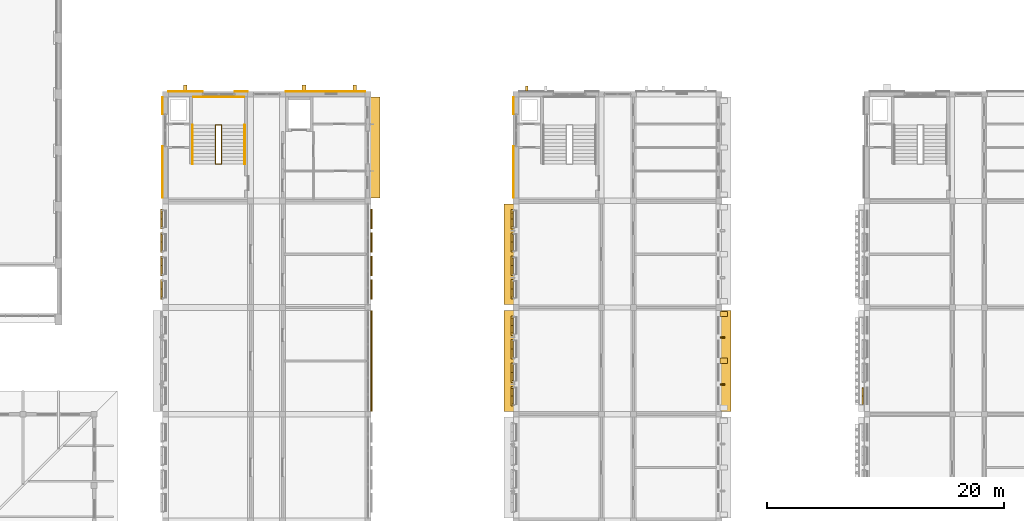
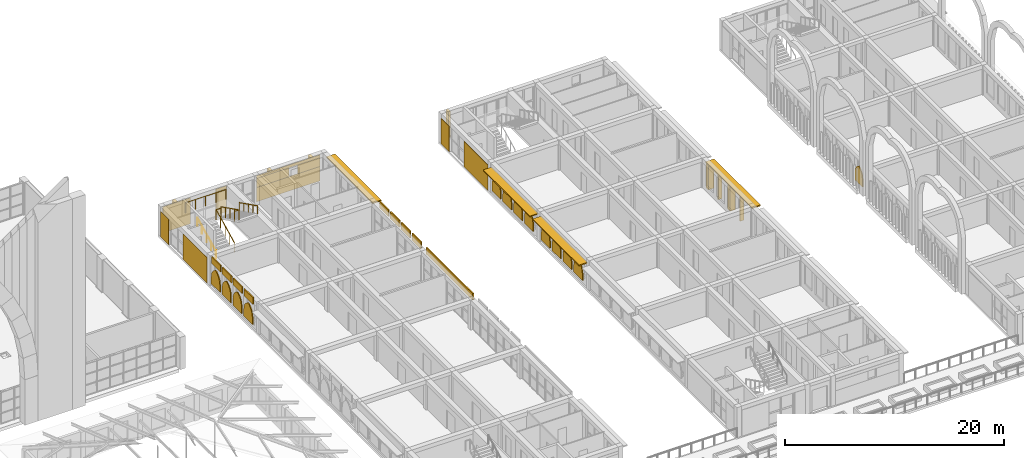
# One storey, part 76 of 82: 27 coverings, 17 shading devices, 4 railings.
"""IFC4 building model written with IfcOpenShell, lengths in metres."""

from ifc_helpers import new_model, si_unit, direction, frame, origin, origin_2d, place, context, subcontext, project, spatial, polyline, rectangle, circle, outline, extrude, material, layer, layer_set, type_object, element, save


model = new_model("IFC4")

# Units and contexts
model_context = context("Model", 3, precision=1e-05, world=origin(), true_north=direction((0.0, 1.0)))
body_context = subcontext(model_context, "Body", "Model", "MODEL_VIEW")
ifc_project = project(units=[si_unit("LENGTHUNIT", "METRE"), si_unit("AREAUNIT", "SQUARE_METRE"), si_unit("VOLUMEUNIT", "CUBIC_METRE"), si_unit("PLANEANGLEUNIT", "RADIAN"), si_unit("MASSUNIT", "GRAM", prefix="KILO")], contexts=[model_context])

# Site, building, storey
site_placement = place(None, origin())
site = spatial("IfcSite", under=ifc_project, at=site_placement, CompositionType="ELEMENT")
building_placement = place(site_placement, origin())
building = spatial("IfcBuilding", under=site, at=building_placement, Name="Elbe Cascade School", CompositionType="ELEMENT")
storey_placement = place(building_placement, frame((0.0, 0.0, 4.5)))
storey = spatial("IfcBuildingStorey", under=building, at=storey_placement, Name="L01", CompositionType="ELEMENT", Elevation=4.5)

# Railings
ifc_material_1 = material(Name="Steel S355J2H, painted", Category="steel")
railing_type_1 = type_object("IfcRailingType", Name="Bar stair guard 1100", PredefinedType="GUARDRAIL", material=ifc_material_1)
railing_1_placement = place(storey_placement, frame((73.25, 54.10009765625, 0.14990234375)))
element("IfcRailing", 1, at=railing_1_placement, inside=storey, type_object=railing_type_1, Name="Stair guard A1.N", PredefinedType="GUARDRAIL", context=body_context, shape_type="SweptSolid", body=[
    extrude(circle(Radius=0.02392578125, at=origin_2d()), frame((0.0, 0.0, 1.09619140625), z_axis=(0.0, 0.894400720042, 0.447266533499), x_axis=(-1.0, 0.0, 0.0)), (0.0, 0.0, 1.0), 3.689453125),
    extrude(circle(Radius=0.02392578125, at=origin_2d()), frame((0.0, 3.2998046875, 2.74609375), z_axis=(1.0, 0.0, 0.0), x_axis=(0.0, 1.0, 0.0)), (0.0, 0.0, 1.0), 0.5),
    extrude(circle(Radius=0.02392578125, at=origin_2d()), frame((0.5, 3.2998046875, 2.74609375), z_axis=(0.0, 0.0, 1.0), x_axis=(1.0, 0.0, 0.0)), (0.0, 0.0, 1.0), 0.14990234375),
    extrude(circle(Radius=0.02392578125, at=origin_2d()), frame((0.5, 3.2998046875, 2.89599609375), z_axis=(0.0, -0.894400720042, 0.447266533499), x_axis=(1.0, 0.0, 0.0)), (0.0, 0.0, 1.0), 3.689453125),
    extrude(circle(Radius=0.02392578125, at=origin_2d()), frame((0.5, 0.0, 4.54638671875), z_axis=(-1.0, 0.0, 0.0), x_axis=(0.0, -1.0, 0.0)), (0.0, 0.0, 1.0), 0.5),
    extrude(circle(Radius=0.02099609375, at=origin_2d()), origin(), (0.0, 0.0, 1.0), 1.072021484375),
    extrude(circle(Radius=0.02099609375, at=origin_2d()), frame((0.0, 0.824951171875, 0.41259765625)), (0.0, 0.0, 1.0), 1.072021484375),
    extrude(circle(Radius=0.02099609375, at=origin_2d()), frame((0.0, 1.64990234375, 0.8251953125)), (0.0, 0.0, 1.0), 1.072021484375),
    extrude(circle(Radius=0.02099609375, at=origin_2d()), frame((0.0, 2.474853515625, 1.237548828125)), (0.0, 0.0, 1.0), 1.072021484375),
    extrude(circle(Radius=0.02099609375, at=origin_2d()), frame((0.0, 3.2998046875, 1.650146484375)), (0.0, 0.0, 1.0), 1.072021484375),
    extrude(circle(Radius=0.02099609375, at=origin_2d()), frame((0.5, 3.2998046875, 1.650146484375)), (0.0, 0.0, 1.0), 1.072021484375),
    extrude(circle(Radius=0.02099609375, at=origin_2d()), frame((0.5, 3.2998046875, 1.800048828125)), (0.0, 0.0, 1.0), 1.072021484375),
    extrude(circle(Radius=0.02099609375, at=origin_2d()), frame((0.5, 2.474853515625, 2.212646484375)), (0.0, 0.0, 1.0), 1.072021484375),
    extrude(circle(Radius=0.02099609375, at=origin_2d()), frame((0.5, 1.64990234375, 2.625)), (0.0, 0.0, 1.0), 1.072021484375),
    extrude(circle(Radius=0.02099609375, at=origin_2d()), frame((0.5, 0.824951171875, 3.03759765625)), (0.0, 0.0, 1.0), 1.072021484375),
    extrude(circle(Radius=0.02099609375, at=origin_2d()), frame((0.5, 0.0, 3.4501953125)), (0.0, 0.0, 1.0), 1.072021484375),
    extrude(circle(Radius=0.02099609375, at=origin_2d()), frame((0.0, 0.0, 3.4501953125)), (0.0, 0.0, 1.0), 1.072021484375),
])
railing_2_placement = place(storey_placement, frame((71.360107421875, 59.760009765625, 1.800048828125)))
element("IfcRailing", 2, at=railing_2_placement, inside=storey, type_object=railing_type_1, Name="Stair guard A1.N", PredefinedType="GUARDRAIL", context=body_context, shape_type="SweptSolid", body=[
    extrude(circle(Radius=0.02392578125, at=origin_2d()), frame((0.0, 0.0, 1.09619140625), z_axis=(1.0, 0.0, 0.0), x_axis=(0.0, 1.0, 0.0)), (0.0, 0.0, 1.0), 4.27978515625),
    extrude(circle(Radius=0.02099609375, at=origin_2d()), origin(), (0.0, 0.0, 1.0), 1.072021484375),
    extrude(circle(Radius=0.02099609375, at=origin_2d()), frame((1.06982421875, 0.0, 0.0)), (0.0, 0.0, 1.0), 1.072021484375),
    extrude(circle(Radius=0.02099609375, at=origin_2d()), frame((2.139892578125, 0.0, 0.0)), (0.0, 0.0, 1.0), 1.072021484375),
    extrude(circle(Radius=0.02099609375, at=origin_2d()), frame((3.2099609375, 0.0, 0.0)), (0.0, 0.0, 1.0), 1.072021484375),
    extrude(circle(Radius=0.02099609375, at=origin_2d()), frame((4.27978515625, 0.0, 0.0)), (0.0, 0.0, 1.0), 1.072021484375),
])
ifc_material_2 = material(Name="Steel S355J2H, painted", Category="steel")
railing_type_2 = type_object("IfcRailingType", Name="Bar stair handrail 900", PredefinedType="HANDRAIL", material=ifc_material_2)
railing_3_placement = place(storey_placement, frame((71.300048828125, 54.10009765625, 0.14990234375)))
element("IfcRailing", 3, at=railing_3_placement, inside=storey, type_object=railing_type_2, Name="Stair handrail A1.N", PredefinedType="HANDRAIL", context=body_context, shape_type="SweptSolid", body=[
    extrude(circle(Radius=0.02392578125, at=origin_2d()), frame((0.0, 0.0, 0.8759765625), z_axis=(0.0, 0.894400720042, 0.447266533499), x_axis=(-1.0, 0.0, 0.0)), (0.0, 0.0, 1.0), 3.689453125),
    extrude(circle(Radius=0.02099609375, at=origin_2d()), origin(), (0.0, 0.0, 1.0), 0.851806640625),
    extrude(circle(Radius=0.02099609375, at=origin_2d()), frame((0.0, 0.824951171875, 0.41259765625)), (0.0, 0.0, 1.0), 0.851806640625),
    extrude(circle(Radius=0.02099609375, at=origin_2d()), frame((0.0, 1.64990234375, 0.8251953125)), (0.0, 0.0, 1.0), 0.851806640625),
    extrude(circle(Radius=0.02099609375, at=origin_2d()), frame((0.0, 2.474853515625, 1.237548828125)), (0.0, 0.0, 1.0), 0.851806640625),
    extrude(circle(Radius=0.02099609375, at=origin_2d()), frame((0.0, 3.2998046875, 1.650146484375)), (0.0, 0.0, 1.0), 0.851806640625),
])
railing_4_placement = place(storey_placement, frame((75.699951171875, 57.39990234375, 1.949951171875)))
element("IfcRailing", 4, at=railing_4_placement, inside=storey, type_object=railing_type_2, Name="Stair handrail A1.N", PredefinedType="HANDRAIL", context=body_context, shape_type="SweptSolid", body=[
    extrude(circle(Radius=0.02392578125, at=origin_2d()), frame((0.0, 0.0, 0.8759765625), z_axis=(0.0, -0.894400720042, 0.447266533499), x_axis=(1.0, 0.0, 0.0)), (0.0, 0.0, 1.0), 3.689453125),
    extrude(circle(Radius=0.02099609375, at=origin_2d()), origin(), (0.0, 0.0, 1.0), 0.851806640625),
    extrude(circle(Radius=0.02099609375, at=origin_2d()), frame((0.0, -0.824951171875, 0.41259765625)), (0.0, 0.0, 1.0), 0.851806640625),
    extrude(circle(Radius=0.02099609375, at=origin_2d()), frame((0.0, -1.64990234375, 0.8251953125)), (0.0, 0.0, 1.0), 0.851806640625),
    extrude(circle(Radius=0.02099609375, at=origin_2d()), frame((0.0, -2.474853515625, 1.237548828125)), (0.0, 0.0, 1.0), 0.851806640625),
    extrude(circle(Radius=0.02099609375, at=origin_2d()), frame((0.0, -3.2998046875, 1.650146484375)), (0.0, 0.0, 1.0), 0.851806640625),
])

# Shading devices
ifc_material_3 = material(Name="Precast concrete C30/37", Category="concrete")
ifc_layer_1 = layer(ifc_material_3, 0.1201171875)
ifc_layer_set_1 = layer_set([ifc_layer_1], Name="Precast concrete C30/37")
shading_device_type_1 = type_object("IfcShadingDeviceType", Name="Bars envelope Chhajja eave, precast concrete, 900 x 120", PredefinedType="USERDEFINED", material=ifc_layer_set_1)
for number, where, z_axis, x_axis, name in (
    (5, (86.669921875, 55.5, 2.72998046875), (0.0, 0.0, 1.0), (0.0, 1.0, 0.0), "Chhajja eave SD2 A.L01.e6"),
    (6, (98.030029296875, 37.5, 2.72998046875), (0.0, 0.0, 1.0), (0.0, 1.0, 0.0), "Chhajja eave SD2 B.L01.w4"),
    (7, (98.030029296875, 46.5, 2.72998046875), (0.0, 0.0, 1.0), (0.0, 1.0, 0.0), "Chhajja eave SD2 B.L01.w5"),
    (8, (116.27001953125, 37.5, 2.72998046875), (0.0, 0.0, 1.0), (0.0, 1.0, 0.0), "Chhajja eave SD2 B.L01.e4"),
):
    element("IfcShadingDevice", number, at=place(storey_placement, frame(where, z_axis=z_axis, x_axis=x_axis)), inside=storey, type_object=shading_device_type_1, Name=name, ObjectType="CHHAJJA", PredefinedType="USERDEFINED", context=body_context, shape_type="SweptSolid", body=[
        extrude(rectangle(XDim=8.5, YDim=0.89990234375, at=origin_2d()), origin(), (0.0, 0.0, 1.0), 0.1201171875),
    ])
ifc_material_4 = material(Name="Precast concrete C40/50", Category="concrete")
ifc_layer_2 = layer(ifc_material_4, 0.10009765625)
ifc_layer_set_2 = layer_set([ifc_layer_2], Name="Precast concrete C40/50")
shading_device_type_2 = type_object("IfcShadingDeviceType", Name="Bars envelope Jali screen 1400 x 1940, pointed arch rise 1200, pierced precast concrete", PredefinedType="USERDEFINED", material=ifc_layer_set_2)
shading_device_1_placement = place(storey_placement, frame((127.800048828125, 33.830078125, 1.340087890625), z_axis=(-1.0, 0.0, 0.0), x_axis=(0.0, 0.178010233327, 0.984028636184)))
element("IfcShadingDevice", 9, at=shading_device_1_placement, inside=storey, type_object=shading_device_type_2, Name="Jali screen SD5 C.L01.w4.1", ObjectType="JALI", PredefinedType="USERDEFINED", context=body_context, shape_type="SweptSolid", body=[
    extrude(outline(polyline([(0.0, 0.0), (0.4909961754247877, 0.0), (0.6925015045111531, 0.05236873319310516), (0.8428788821146216, 0.11423458756170396), (0.9653448017027789, 0.1809015060000636), (1.0691153542525929, 0.2511985091151042), (1.1586682066636846, 0.32381938311151803), (1.2366894734944909, 0.3985263145297321), (1.3053847865709356, 0.4751684089694145), (1.267849956232629, 0.5707793741352497), (1.2209891721399608, 0.6683255023225533), (1.1625533429373862, 0.767717446565401), (1.0899432731257104, 0.8696735030558779), (0.9986378362756912, 0.9752596442230361), (0.8794209414103609, 1.0856468494599547), (0.7090760950621335, 1.205531175872367), (0.2491969428458631, 1.3775439941116288), (-0.47897463827592734, 1.509269828392377), (-0.7281715811217905, 0.13172583428074836), (0.0, 0.0)])), origin(), (0.0, 0.0, -1.0), 0.10009765625),
])
ifc_material_5 = material(Name="Precast concrete C40/50", Category="concrete")
ifc_layer_3 = layer(ifc_material_5, 0.10009765625)
ifc_layer_set_3 = layer_set([ifc_layer_3], Name="Precast concrete C40/50")
shading_device_type_3 = type_object("IfcShadingDeviceType", Name="Bars envelope Jali screen 1600 x 1940, pointed arch rise 1200, pierced precast concrete", PredefinedType="USERDEFINED", material=ifc_layer_set_3)
shading_device_2_placement = place(storey_placement, frame((68.60009765625, 42.72998046875, 1.340087890625), z_axis=(-1.0, 0.0, 0.0), x_axis=(0.0, 0.196300278283, 0.98054382908)))
element("IfcShadingDevice", 10, at=shading_device_2_placement, inside=storey, type_object=shading_device_type_3, Name="Jali screen SD4 A.L01.w5.1", ObjectType="JALI", PredefinedType="USERDEFINED", context=body_context, shape_type="SweptSolid", body=[
    extrude(outline(polyline([(0.0, 0.0), (0.509921112317134, 0.0), (0.7184015554229473, 0.06009802405484588), (0.8733064327485943, 0.13117061016154), (0.9982395622926888, 0.20799441476340969), (1.102872417131342, 0.2891312241218946), (1.1917054934740825, 0.37343107507379947), (1.268281725197354, 0.45993570394643946), (1.3336545243794973, 0.5489321924158467), (1.3075321958793382, 0.6559965916457164), (1.2702064348380508, 0.7655528504723534), (1.220671754049922, 0.877553277802997), (1.155289369893253, 0.9924773561437888), (1.0696067110311427, 1.1117144392411962), (0.9539523043874798, 1.2367027408337792), (0.7847223319636507, 1.37266560447821), (0.31409961520112845, 1.5689658827607584), (-0.41149324269448634, 1.7142261716949392), (-0.7255928578956148, 0.1452602889341807), (0.0, 0.0)])), origin(), (0.0, 0.0, -1.0), 0.10009765625),
])
for number, where, z_axis, x_axis, name in (
    (11, (68.60009765625, 44.7099609375, 1.340087890625), (-1.0, 0.0, 0.0), (0.0, 0.196300278283, 0.98054382908), "Jali screen SD4 A.L01.w5.2"),
    (12, (68.60009765625, 46.68994140625, 1.340087890625), (-1.0, 0.0, 0.0), (0.0, 0.196300278283, 0.98054382908), "Jali screen SD4 A.L01.w5.3"),
):
    element("IfcShadingDevice", number, at=place(storey_placement, frame(where, z_axis=z_axis, x_axis=x_axis)), inside=storey, type_object=shading_device_type_3, Name=name, ObjectType="JALI", PredefinedType="USERDEFINED", context=body_context, shape_type="SweptSolid", body=[
        extrude(outline(polyline([(0.0, 0.0), (0.509921112317134, 0.0), (0.7184015554229473, 0.06009802405484588), (0.8733064327485943, 0.13117061016154), (0.9982874871653163, 0.20823380534668107), (1.102872417131342, 0.2891312241218946), (1.1917054934740825, 0.37343107507379947), (1.268281725197354, 0.45993570394643946), (1.3336545243794973, 0.5489321924158467), (1.3075801207519657, 0.6562359822289878), (1.2702064348380508, 0.7655528504723534), (1.220671754049922, 0.877553277802997), (1.155289369893253, 0.9924773561437888), (1.0696067110311427, 1.1117144392411962), (0.9540002292601073, 1.2369421314170506), (0.7847223319636507, 1.37266560447821), (0.31409961520112845, 1.5689658827607584), (-0.41149324269448634, 1.7142261716949392), (-0.7255928578956148, 0.1452602889341807), (0.0, 0.0)])), origin(), (0.0, 0.0, -1.0), 0.10009765625),
    ])
shading_device_3_placement = place(storey_placement, frame((68.60009765625, 48.669921875, 1.340087890625), z_axis=(-1.0, 0.0, 0.0), x_axis=(0.0, 0.196300278283, 0.98054382908)))
element("IfcShadingDevice", 13, at=shading_device_3_placement, inside=storey, type_object=shading_device_type_3, Name="Jali screen SD4 A.L01.w5.4", ObjectType="JALI", PredefinedType="USERDEFINED", context=body_context, shape_type="SweptSolid", body=[
    extrude(outline(polyline([(0.0, 0.0), (0.509921112317134, 0.0), (0.7184494802955748, 0.06033741463811729), (0.8733064327485943, 0.13117061016154), (0.9982874871653163, 0.20823380534668107), (1.102872417131342, 0.2891312241218946), (1.1917054934740825, 0.37343107507379947), (1.2683296500699814, 0.46017509452971084), (1.3336545243794973, 0.5489321924158467), (1.3075801207519657, 0.6562359822289878), (1.2702064348380508, 0.7655528504723534), (1.220671754049922, 0.877553277802997), (1.1553372947658807, 0.9927167467270602), (1.0696067110311427, 1.1117144392411962), (0.9540002292601073, 1.2369421314170506), (0.7847223319636507, 1.37266560447821), (0.31409961520112845, 1.5689658827607584), (-0.41149324269448634, 1.7142261716949392), (-0.7255928578956148, 0.1452602889341807), (0.0, 0.0)])), origin(), (0.0, 0.0, -1.0), 0.10009765625),
])
shading_device_4_placement = place(storey_placement, frame((98.199951171875, 33.72998046875, 1.340087890625), z_axis=(-1.0, 0.0, 0.0), x_axis=(0.0, 0.196300278283, 0.98054382908)))
element("IfcShadingDevice", 14, at=shading_device_4_placement, inside=storey, type_object=shading_device_type_3, Name="Jali screen SD4 B.L01.w4.1", ObjectType="JALI", PredefinedType="USERDEFINED", context=body_context, shape_type="SweptSolid", body=[
    extrude(outline(polyline([(0.0, 0.0), (0.509921112317134, 0.0), (0.7184015554229473, 0.06009802405484588), (0.8733064327485943, 0.13117061016154), (0.9982395622926888, 0.20799441476340969), (1.102872417131342, 0.2891312241218946), (1.1917054934740825, 0.37343107507379947), (1.268281725197354, 0.45993570394643946), (1.3336545243794973, 0.5489321924158467), (1.3075321958793382, 0.6559965916457164), (1.2702064348380508, 0.7655528504723534), (1.220671754049922, 0.877553277802997), (1.155289369893253, 0.9924773561437888), (1.0696067110311427, 1.1117144392411962), (0.9539523043874798, 1.2367027408337792), (0.7847223319636507, 1.37266560447821), (0.31409961520112845, 1.5689658827607584), (-0.41149324269448634, 1.7142261716949392), (-0.7255928578956148, 0.1452602889341807), (0.0, 0.0)])), origin(), (0.0, 0.0, -1.0), 0.10009765625),
])
for number, where, z_axis, x_axis, name in (
    (15, (98.199951171875, 35.7099609375, 1.340087890625), (-1.0, 0.0, 0.0), (0.0, 0.196300278283, 0.98054382908), "Jali screen SD4 B.L01.w4.2"),
    (16, (98.199951171875, 37.68994140625, 1.340087890625), (-1.0, 0.0, 0.0), (0.0, 0.196300278283, 0.98054382908), "Jali screen SD4 B.L01.w4.3"),
):
    element("IfcShadingDevice", number, at=place(storey_placement, frame(where, z_axis=z_axis, x_axis=x_axis)), inside=storey, type_object=shading_device_type_3, Name=name, ObjectType="JALI", PredefinedType="USERDEFINED", context=body_context, shape_type="SweptSolid", body=[
        extrude(outline(polyline([(0.0, 0.0), (0.509921112317134, 0.0), (0.7184015554229473, 0.06009802405484588), (0.8733064327485943, 0.13117061016154), (0.9982874871653163, 0.20823380534668107), (1.102872417131342, 0.2891312241218946), (1.1917054934740825, 0.37343107507379947), (1.268281725197354, 0.45993570394643946), (1.3336545243794973, 0.5489321924158467), (1.3075801207519657, 0.6562359822289878), (1.2702064348380508, 0.7655528504723534), (1.220671754049922, 0.877553277802997), (1.155289369893253, 0.9924773561437888), (1.0696067110311427, 1.1117144392411962), (0.9540002292601073, 1.2369421314170506), (0.7847223319636507, 1.37266560447821), (0.31409961520112845, 1.5689658827607584), (-0.41149324269448634, 1.7142261716949392), (-0.7255928578956148, 0.1452602889341807), (0.0, 0.0)])), origin(), (0.0, 0.0, -1.0), 0.10009765625),
    ])
shading_device_5_placement = place(storey_placement, frame((98.199951171875, 39.669921875, 1.340087890625), z_axis=(-1.0, 0.0, 0.0), x_axis=(0.0, 0.196300278283, 0.98054382908)))
element("IfcShadingDevice", 17, at=shading_device_5_placement, inside=storey, type_object=shading_device_type_3, Name="Jali screen SD4 B.L01.w4.4", ObjectType="JALI", PredefinedType="USERDEFINED", context=body_context, shape_type="SweptSolid", body=[
    extrude(outline(polyline([(0.0, 0.0), (0.509921112317134, 0.0), (0.7184494802955748, 0.06033741463811729), (0.8733064327485943, 0.13117061016154), (0.9982874871653163, 0.20823380534668107), (1.102872417131342, 0.2891312241218946), (1.1917054934740825, 0.37343107507379947), (1.2683296500699814, 0.46017509452971084), (1.3336545243794973, 0.5489321924158467), (1.3075801207519657, 0.6562359822289878), (1.2702064348380508, 0.7655528504723534), (1.220671754049922, 0.877553277802997), (1.1553372947658807, 0.9927167467270602), (1.0696067110311427, 1.1117144392411962), (0.9540002292601073, 1.2369421314170506), (0.7847223319636507, 1.37266560447821), (0.31409961520112845, 1.5689658827607584), (-0.41149324269448634, 1.7142261716949392), (-0.7255928578956148, 0.1452602889341807), (0.0, 0.0)])), origin(), (0.0, 0.0, -1.0), 0.10009765625),
])
shading_device_6_placement = place(storey_placement, frame((98.199951171875, 42.72998046875, 1.340087890625), z_axis=(-1.0, 0.0, 0.0), x_axis=(0.0, 0.196300278283, 0.98054382908)))
element("IfcShadingDevice", 18, at=shading_device_6_placement, inside=storey, type_object=shading_device_type_3, Name="Jali screen SD4 B.L01.w5.1", ObjectType="JALI", PredefinedType="USERDEFINED", context=body_context, shape_type="SweptSolid", body=[
    extrude(outline(polyline([(0.0, 0.0), (0.509921112317134, 0.0), (0.7184015554229473, 0.06009802405484588), (0.8733064327485943, 0.13117061016154), (0.9982395622926888, 0.20799441476340969), (1.102872417131342, 0.2891312241218946), (1.1917054934740825, 0.37343107507379947), (1.268281725197354, 0.45993570394643946), (1.3336545243794973, 0.5489321924158467), (1.3075321958793382, 0.6559965916457164), (1.2702064348380508, 0.7655528504723534), (1.220671754049922, 0.877553277802997), (1.155289369893253, 0.9924773561437888), (1.0696067110311427, 1.1117144392411962), (0.9539523043874798, 1.2367027408337792), (0.7847223319636507, 1.37266560447821), (0.31409961520112845, 1.5689658827607584), (-0.41149324269448634, 1.7142261716949392), (-0.7255928578956148, 0.1452602889341807), (0.0, 0.0)])), origin(), (0.0, 0.0, -1.0), 0.10009765625),
])
for number, where, z_axis, x_axis, name in (
    (19, (98.199951171875, 44.7099609375, 1.340087890625), (-1.0, 0.0, 0.0), (0.0, 0.196300278283, 0.98054382908), "Jali screen SD4 B.L01.w5.2"),
    (20, (98.199951171875, 46.68994140625, 1.340087890625), (-1.0, 0.0, 0.0), (0.0, 0.196300278283, 0.98054382908), "Jali screen SD4 B.L01.w5.3"),
):
    element("IfcShadingDevice", number, at=place(storey_placement, frame(where, z_axis=z_axis, x_axis=x_axis)), inside=storey, type_object=shading_device_type_3, Name=name, ObjectType="JALI", PredefinedType="USERDEFINED", context=body_context, shape_type="SweptSolid", body=[
        extrude(outline(polyline([(0.0, 0.0), (0.509921112317134, 0.0), (0.7184015554229473, 0.06009802405484588), (0.8733064327485943, 0.13117061016154), (0.9982874871653163, 0.20823380534668107), (1.102872417131342, 0.2891312241218946), (1.1917054934740825, 0.37343107507379947), (1.268281725197354, 0.45993570394643946), (1.3336545243794973, 0.5489321924158467), (1.3075801207519657, 0.6562359822289878), (1.2702064348380508, 0.7655528504723534), (1.220671754049922, 0.877553277802997), (1.155289369893253, 0.9924773561437888), (1.0696067110311427, 1.1117144392411962), (0.9540002292601073, 1.2369421314170506), (0.7847223319636507, 1.37266560447821), (0.31409961520112845, 1.5689658827607584), (-0.41149324269448634, 1.7142261716949392), (-0.7255928578956148, 0.1452602889341807), (0.0, 0.0)])), origin(), (0.0, 0.0, -1.0), 0.10009765625),
    ])
shading_device_7_placement = place(storey_placement, frame((98.199951171875, 48.669921875, 1.340087890625), z_axis=(-1.0, 0.0, 0.0), x_axis=(0.0, 0.196300278283, 0.98054382908)))
element("IfcShadingDevice", 21, at=shading_device_7_placement, inside=storey, type_object=shading_device_type_3, Name="Jali screen SD4 B.L01.w5.4", ObjectType="JALI", PredefinedType="USERDEFINED", context=body_context, shape_type="SweptSolid", body=[
    extrude(outline(polyline([(0.0, 0.0), (0.509921112317134, 0.0), (0.7184494802955748, 0.06033741463811729), (0.8733064327485943, 0.13117061016154), (0.9982874871653163, 0.20823380534668107), (1.102872417131342, 0.2891312241218946), (1.1917054934740825, 0.37343107507379947), (1.2683296500699814, 0.46017509452971084), (1.3336545243794973, 0.5489321924158467), (1.3075801207519657, 0.6562359822289878), (1.2702064348380508, 0.7655528504723534), (1.220671754049922, 0.877553277802997), (1.1553372947658807, 0.9927167467270602), (1.0696067110311427, 1.1117144392411962), (0.9540002292601073, 1.2369421314170506), (0.7847223319636507, 1.37266560447821), (0.31409961520112845, 1.5689658827607584), (-0.41149324269448634, 1.7142261716949392), (-0.7255928578956148, 0.1452602889341807), (0.0, 0.0)])), origin(), (0.0, 0.0, -1.0), 0.10009765625),
])

# Coverings
ifc_material_6 = material(Name="Precast concrete C40/50", Category="concrete")
covering_type_1 = type_object("IfcCoveringType", Name="Bars envelope Precast concrete fin, 140 wide, 400 deep", PredefinedType="CLADDING", material=ifc_material_6)
for number, where, z_axis, x_axis, name in (
    (22, (116.02001953125, 35.52001953125, 0.0), (0.0, 0.0, 1.0), (0.0, 1.0, 0.0), "Fin CV56 B.L01.e4.4"),
    (23, (116.02001953125, 39.47998046875, 0.0), (0.0, 0.0, 1.0), (0.0, 1.0, 0.0), "Fin CV56 B.L01.e4.5"),
):
    element("IfcCovering", number, at=place(storey_placement, frame(where, z_axis=z_axis, x_axis=x_axis)), inside=storey, type_object=covering_type_1, Name=name, PredefinedType="CLADDING", context=body_context, shape_type="SweptSolid", body=[
        extrude(rectangle(XDim=0.139892578125, YDim=0.39990234375, at=origin_2d()), origin(), (0.0, 0.0, 1.0), 2.72998046875),
    ])
ifc_material_7 = material(Name="Precast concrete C40/50", Category="concrete")
covering_type_2 = type_object("IfcCoveringType", Name="Bars envelope Precast concrete fin, 450 wide, 600 deep", PredefinedType="CLADDING", material=ifc_material_7)
for number, where, z_axis, x_axis, name in (
    (24, (116.1201171875, 37.5, 0.0), (0.0, 0.0, 1.0), (0.0, 1.0, 0.0), "Fin CV55 B.L01.e4.2"),
    (25, (116.1201171875, 41.4599609375, 0.0), (0.0, 0.0, 1.0), (0.0, 1.0, 0.0), "Fin CV55 B.L01.e4.3"),
):
    element("IfcCovering", number, at=place(storey_placement, frame(where, z_axis=z_axis, x_axis=x_axis)), inside=storey, type_object=covering_type_2, Name=name, PredefinedType="CLADDING", context=body_context, shape_type="SweptSolid", body=[
        extrude(rectangle(XDim=0.449951171875, YDim=0.60009765625, at=origin_2d()), origin(), (0.0, 0.0, 1.0), 2.72998046875),
    ])
ifc_material_8 = material(Name="Precast concrete C40/50", Category="concrete")
covering_type_3 = type_object("IfcCoveringType", Name="Bars envelope Precast concrete gable fin, 200 wide, 450 deep", PredefinedType="CLADDING", material=ifc_material_8)
covering_1_placement = place(storey_placement, frame((99.5, 60.485107421875, 0.0), z_axis=(0.0, 0.0, 1.0), x_axis=(1.0, 0.0, 0.0)))
element("IfcCovering", 26, at=covering_1_placement, inside=storey, type_object=covering_type_3, Name="Fin CV57 B.L01.n.1", PredefinedType="CLADDING", context=body_context, shape_type="SweptSolid", body=[
    extrude(rectangle(XDim=0.199951171875, YDim=0.449951171875, at=origin_2d()), origin(), (0.0, 0.0, 1.0), 2.89990234375),
])
ifc_material_9 = material(Name="Precast concrete C40/50", Category="concrete")
covering_type_4 = type_object("IfcCoveringType", Name="Bars envelope Precast concrete gable fin, 300 wide, 500 deep", PredefinedType="CLADDING", material=ifc_material_9)
for number, where, z_axis, x_axis, name in (
    (27, (70.699951171875, 60.510009765625, 0.0), (0.0, 0.0, 1.0), (1.0, 0.0, 0.0), "Fin CV50 A.L01.n.1"),
    (28, (80.699951171875, 60.510009765625, 0.0), (0.0, 0.0, 1.0), (1.0, 0.0, 0.0), "Fin CV50 A.L01.n.2"),
    (29, (85.0, 60.510009765625, 0.0), (0.0, 0.0, 1.0), (1.0, 0.0, 0.0), "Fin CV50 A.L01.n.3"),
):
    element("IfcCovering", number, at=place(storey_placement, frame(where, z_axis=z_axis, x_axis=x_axis)), inside=storey, type_object=covering_type_4, Name=name, PredefinedType="CLADDING", context=body_context, shape_type="SweptSolid", body=[
        extrude(rectangle(XDim=0.300048828125, YDim=0.5, at=origin_2d()), origin(), (0.0, 0.0, 1.0), 2.89990234375),
    ])
ifc_material_10 = material(Name="Sandstone - red", Category="masonry")
ifc_layer_4 = layer(ifc_material_10, 0.0400390625)
ifc_layer_set_4 = layer_set([ifc_layer_4], Name="Sandstone - red")
covering_type_5 = type_object("IfcCoveringType", Name="Bars envelope Sandstone cladding, red, 40 mm", PredefinedType="CLADDING", material=ifc_layer_set_4)
covering_2_placement = place(storey_placement, frame((68.760009765625, 53.429931640625, 0.0), z_axis=(0.0, 0.0, 1.0), x_axis=(0.0, 1.0, 0.0)))
element("IfcCovering", 30, at=covering_2_placement, inside=storey, type_object=covering_type_5, Name="Sandstone cladding CV48 A.L01.w.6a.1", PredefinedType="CLADDING", context=body_context, shape_type="SweptSolid", body=[
    extrude(rectangle(XDim=4.360107421875, YDim=0.0400390625, at=origin_2d()), origin(), (0.0, 0.0, 1.0), 2.85009765625),
])
covering_3_placement = place(storey_placement, frame((68.760009765625, 59.030029296875, 0.0), z_axis=(0.0, 0.0, 1.0), x_axis=(0.0, 1.0, 0.0)))
element("IfcCovering", 31, at=covering_3_placement, inside=storey, type_object=covering_type_5, Name="Sandstone cladding CV48 A.L01.w.6b.1", PredefinedType="CLADDING", context=body_context, shape_type="SweptSolid", body=[
    extrude(rectangle(XDim=1.43994140625, YDim=0.0400390625, at=origin_2d()), origin(), (0.0, 0.0, 1.0), 2.85009765625),
])
covering_4_placement = place(storey_placement, frame((70.699951171875, 60.239990234375, 0.0), z_axis=(0.0, 0.0, 1.0), x_axis=(1.0, 0.0, 0.0)))
element("IfcCovering", 32, at=covering_4_placement, inside=storey, type_object=covering_type_5, Name="Sandstone cladding CV48 A.L01.n.1a.1", PredefinedType="CLADDING", context=body_context, shape_type="SweptSolid", body=[
    extrude(rectangle(XDim=2.89990234375, YDim=0.0400390625, at=origin_2d()), origin(), (0.0, 0.0, 1.0), 2.89990234375),
])
covering_5_placement = place(storey_placement, frame((75.39990234375, 60.239990234375, 0.0), z_axis=(0.0, 0.0, 1.0), x_axis=(1.0, 0.0, 0.0)))
element("IfcCovering", 33, at=covering_5_placement, inside=storey, type_object=covering_type_5, Name="Sandstone cladding CV48 A.L01.n.1b.1", PredefinedType="CLADDING", context=body_context, shape_type="SweptSolid", body=[
    extrude(rectangle(XDim=1.10009765625, YDim=0.0400390625, at=origin_2d()), origin(), (0.0, 0.0, 1.0), 2.89990234375),
])
covering_6_placement = place(storey_placement, frame((82.5, 60.239990234375, 0.0), z_axis=(0.0, 0.0, 1.0), x_axis=(1.0, 0.0, 0.0)))
element("IfcCovering", 34, at=covering_6_placement, inside=storey, type_object=covering_type_5, Name="Sandstone cladding CV48 A.L01.n.3.1", PredefinedType="CLADDING", context=body_context, shape_type="SweptSolid", body=[
    extrude(rectangle(XDim=6.699951171875, YDim=0.0400390625, at=origin_2d()), origin(), (0.0, 0.0, 1.0), 1.60009765625),
])
covering_7_placement = place(storey_placement, frame((80.85009765625, 60.239990234375, 1.60009765625), z_axis=(0.0, 0.0, 1.0), x_axis=(1.0, 0.0, 0.0)))
element("IfcCovering", 35, at=covering_7_placement, inside=storey, type_object=covering_type_5, Name="Sandstone cladding CV48 A.L01.n.3.2", PredefinedType="CLADDING", context=body_context, shape_type="SweptSolid", body=[
    extrude(rectangle(XDim=3.39990234375, YDim=0.0400390625, at=origin_2d()), origin(), (0.0, 0.0, 1.0), 1.0),
])
covering_8_placement = place(storey_placement, frame((84.64990234375, 60.239990234375, 1.60009765625), z_axis=(0.0, 0.0, 1.0), x_axis=(1.0, 0.0, 0.0)))
element("IfcCovering", 36, at=covering_8_placement, inside=storey, type_object=covering_type_5, Name="Sandstone cladding CV48 A.L01.n.3.3", PredefinedType="CLADDING", context=body_context, shape_type="SweptSolid", body=[
    extrude(rectangle(XDim=2.39990234375, YDim=0.0400390625, at=origin_2d()), origin(), (0.0, 0.0, 1.0), 1.0),
])
covering_9_placement = place(storey_placement, frame((82.5, 60.239990234375, 2.60009765625), z_axis=(0.0, 0.0, 1.0), x_axis=(1.0, 0.0, 0.0)))
element("IfcCovering", 37, at=covering_9_placement, inside=storey, type_object=covering_type_5, Name="Sandstone cladding CV48 A.L01.n.3.4", PredefinedType="CLADDING", context=body_context, shape_type="SweptSolid", body=[
    extrude(rectangle(XDim=6.699951171875, YDim=0.0400390625, at=origin_2d()), origin(), (0.0, 0.0, 1.0), 0.300048828125),
])
covering_10_placement = place(storey_placement, frame((98.360107421875, 53.429931640625, 0.0), z_axis=(0.0, 0.0, 1.0), x_axis=(0.0, 1.0, 0.0)))
element("IfcCovering", 38, at=covering_10_placement, inside=storey, type_object=covering_type_5, Name="Sandstone cladding CV48 B.L01.w.6a.1", PredefinedType="CLADDING", context=body_context, shape_type="SweptSolid", body=[
    extrude(rectangle(XDim=4.360107421875, YDim=0.0400390625, at=origin_2d()), origin(), (0.0, 0.0, 1.0), 2.85009765625),
])
covering_11_placement = place(storey_placement, frame((98.360107421875, 59.030029296875, 0.0), z_axis=(0.0, 0.0, 1.0), x_axis=(0.0, 1.0, 0.0)))
element("IfcCovering", 39, at=covering_11_placement, inside=storey, type_object=covering_type_5, Name="Sandstone cladding CV48 B.L01.w.6b.1", PredefinedType="CLADDING", context=body_context, shape_type="SweptSolid", body=[
    extrude(rectangle(XDim=1.43994140625, YDim=0.0400390625, at=origin_2d()), origin(), (0.0, 0.0, 1.0), 2.85009765625),
])
ifc_material_11 = material(Name="Sandstone - red", Category="masonry")
covering_type_6 = type_object("IfcCoveringType", Name="Bars envelope Sandstone spandrel band, 120 deep", PredefinedType="CLADDING", material=ifc_material_11)
for number, where, z_axis, x_axis, name in (
    (40, (68.68994140625, 43.530029296875, 2.85009765625), (0.0, 0.0, 1.0), (0.0, 1.0, 0.0), "Spandrel band CV53 A.L01.w4.1"),
    (41, (68.68994140625, 45.510009765625, 2.85009765625), (0.0, 0.0, 1.0), (0.0, 1.0, 0.0), "Spandrel band CV53 A.L01.w4.2"),
    (42, (68.68994140625, 47.489990234375, 2.85009765625), (0.0, 0.0, 1.0), (0.0, 1.0, 0.0), "Spandrel band CV53 A.L01.w4.3"),
    (43, (68.68994140625, 49.469970703125, 2.85009765625), (0.0, 0.0, 1.0), (0.0, 1.0, 0.0), "Spandrel band CV53 A.L01.w4.4"),
):
    element("IfcCovering", number, at=place(storey_placement, frame(where, z_axis=z_axis, x_axis=x_axis)), inside=storey, type_object=covering_type_6, Name=name, PredefinedType="CLADDING", context=body_context, shape_type="SweptSolid", body=[
        extrude(rectangle(XDim=1.639892578125, YDim=0.1201171875, at=origin_2d()), origin(), (0.0, 0.0, 1.0), 0.75),
    ])
covering_12_placement = place(storey_placement, frame((86.409912109375, 37.5, 2.85009765625), z_axis=(0.0, 0.0, 1.0), x_axis=(0.0, 1.0, 0.0)))
element("IfcCovering", 44, at=covering_12_placement, inside=storey, type_object=covering_type_6, Name="Spandrel band CV53 A.L01.e3.1", PredefinedType="CLADDING", context=body_context, shape_type="SweptSolid", body=[
    extrude(rectangle(XDim=8.5, YDim=0.1201171875, at=origin_2d()), origin(), (0.0, 0.0, 1.0), 0.75),
])
for number, where, z_axis, x_axis, name in (
    (45, (86.409912109375, 43.530029296875, 2.85009765625), (0.0, 0.0, 1.0), (0.0, 1.0, 0.0), "Spandrel band CV53 A.L01.e4.1"),
    (46, (86.409912109375, 45.510009765625, 2.85009765625), (0.0, 0.0, 1.0), (0.0, 1.0, 0.0), "Spandrel band CV53 A.L01.e4.2"),
    (47, (86.409912109375, 47.489990234375, 2.85009765625), (0.0, 0.0, 1.0), (0.0, 1.0, 0.0), "Spandrel band CV53 A.L01.e4.3"),
    (48, (86.409912109375, 49.469970703125, 2.85009765625), (0.0, 0.0, 1.0), (0.0, 1.0, 0.0), "Spandrel band CV53 A.L01.e4.4"),
):
    element("IfcCovering", number, at=place(storey_placement, frame(where, z_axis=z_axis, x_axis=x_axis)), inside=storey, type_object=covering_type_6, Name=name, PredefinedType="CLADDING", context=body_context, shape_type="SweptSolid", body=[
        extrude(rectangle(XDim=1.639892578125, YDim=0.1201171875, at=origin_2d()), origin(), (0.0, 0.0, 1.0), 0.75),
    ])

save(model, "model.ifc")
